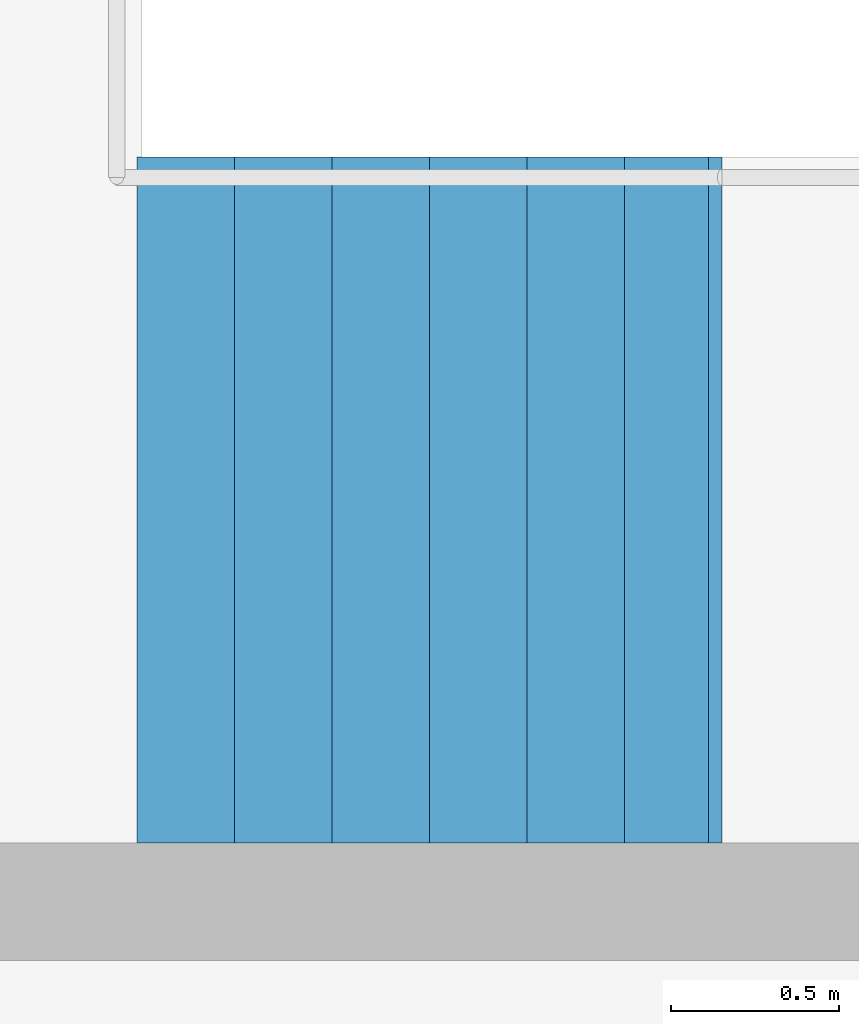
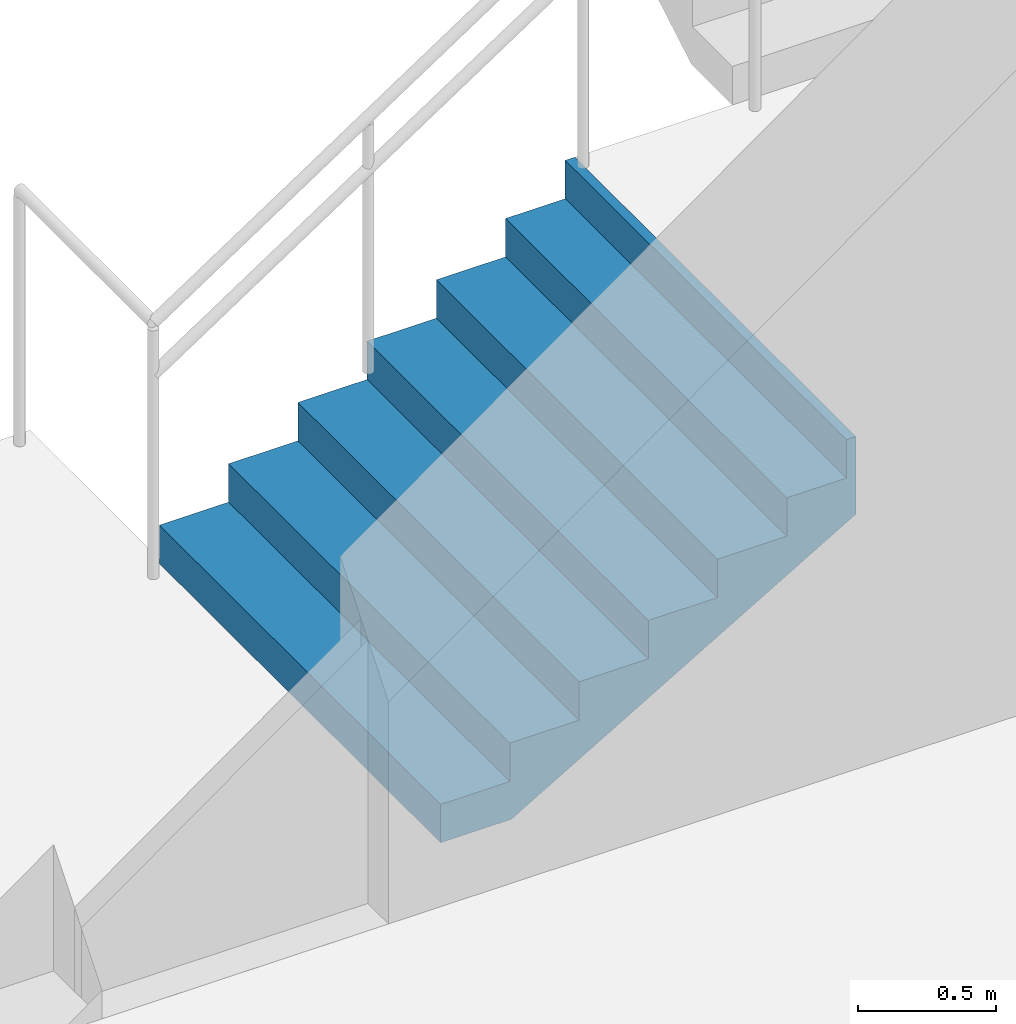
# One storey, part 41 of 49: 1 stair flight, 1 element without a shape of its own.
"""IFC4 building model written with IfcOpenShell, lengths in metres."""

from ifc_helpers import new_model, si_unit, direction, frame, origin, place, context, subcontext, project, spatial, triangles, material, type_object, element, aggregate, save


model = new_model("IFC4")

# Units and contexts
model_context = context("Model", 3, precision=1e-05, world=origin(), true_north=direction((0.0, 1.0)))
body_context = subcontext(model_context, "Body", "Model", "MODEL_VIEW")
ifc_project = project(units=[si_unit("LENGTHUNIT", "METRE"), si_unit("AREAUNIT", "SQUARE_METRE"), si_unit("VOLUMEUNIT", "CUBIC_METRE"), si_unit("PLANEANGLEUNIT", "RADIAN"), si_unit("MASSUNIT", "GRAM", prefix="KILO")], contexts=[model_context])

# Site, building, storey
site_placement = place(None, origin())
site = spatial("IfcSite", under=ifc_project, at=site_placement, CompositionType="ELEMENT")
building_placement = place(site_placement, origin())
building = spatial("IfcBuilding", under=site, at=building_placement, Name="Sillaruma Civic Art Gallery", CompositionType="ELEMENT")
storey_placement = place(building_placement, frame((0.0, 0.0, 33.14990234375)))
storey = spatial("IfcBuildingStorey", under=building, at=storey_placement, Name="L06", CompositionType="ELEMENT", Elevation=33.14990234375)

# Stair, stair flight
ifc_material = material(Name="Concrete H35 (35 MPa)", Category="concrete")
stair_type = type_object("IfcStairType", Name="STR-4F-27", PredefinedType="USERDEFINED", material=ifc_material)
stair_placement = place(storey_placement, origin())
stair = element("IfcStair", 1, at=stair_placement, inside=storey, type_object=stair_type, Name="Protected Exit Stair ST-02 (West Bar North) (L06)", ObjectType="THREE_RETURN_STAIR", PredefinedType="USERDEFINED")
stair_flight_type = type_object("IfcStairFlightType", Name="SFL-STR-7", PredefinedType="STRAIGHT", material=ifc_material)
stair_flight_placement = place(storey_placement, frame((64.800048828125, 81.929931640625, 0.0), z_axis=(0.0, 0.0, 1.0), x_axis=(1.0, 0.0, 0.0)))
stair_flight = element("IfcStairFlight", 2, at=stair_flight_placement, type_object=stair_flight_type, Name="ST-02 flight 1", NumberOfRisers=7, NumberOfTreads=6, PredefinedType="STRAIGHT", RiserHeight=0.17, TreadLength=0.29, context=body_context, shape_type="Tessellation", body=[
    triangles([(0.0, -1.02001953125, 0.0), (0.29, -1.02001953125, 0.0), (0.296404, -1.02001953125, 0.0), (0.58, -1.02001953125, 0.166246), (0.87, -1.02001953125, 0.336246), (1.16, -1.02001953125, 0.506246), (1.45, -1.02001953125, 0.676246), (1.69999, -1.02001953125, 0.822792), (1.73999, -1.02001953125, 0.84624), (1.73999, -1.02001953125, 1.19), (1.69999, -1.02001953125, 1.19), (1.69999, -1.02001953125, 1.02), (1.45, -1.02001953125, 1.02), (1.45, -1.02001953125, 0.85), (1.16, -1.02001953125, 0.85), (1.16, -1.02001953125, 0.68), (0.87, -1.02001953125, 0.68), (0.87, -1.02001953125, 0.51), (0.58, -1.02001953125, 0.51), (0.58, -1.02001953125, 0.34), (0.296404, -1.02001953125, 0.34), (0.29, -1.02001953125, 0.34), (0.29, -1.02001953125, 0.17), (0.0, -1.02001953125, 0.17), (0.0, -0.05, 0.0), (0.29, -0.05, 0.0), (0.296404, -0.05, 0.0), (0.58, -0.05, 0.166246), (0.87, -0.05, 0.336246), (1.16, -0.05, 0.506246), (1.45, -0.05, 0.676246), (1.69999, -0.05, 0.822792), (1.73999, -0.05, 0.84624), (1.73999, -0.05, 1.19), (1.69999, -0.05, 1.19), (1.69999, -0.05, 1.02), (1.45, -0.05, 1.02), (1.45, -0.05, 0.85), (1.16, -0.05, 0.85), (1.16, -0.05, 0.68), (0.87, -0.05, 0.68), (0.87, -0.05, 0.51), (0.58, -0.05, 0.51), (0.58, -0.05, 0.34), (0.296404, -0.05, 0.34), (0.29, -0.05, 0.34), (0.29, -0.05, 0.17), (0.0, -0.05, 0.17), (0.0, -0.0375, 0.0), (0.29, -0.0375, 0.0), (0.296404, -0.0375, 0.0), (0.58, -0.0375, 0.166246), (0.87, -0.0375, 0.336246), (1.16, -0.0375, 0.506246), (1.45, -0.0375, 0.676246), (1.69999, -0.0375, 0.822792), (1.73999, -0.0375, 0.84624), (1.73999, -0.0375, 1.19), (1.69999, -0.0375, 1.19), (1.69999, -0.0375, 1.02), (1.45, -0.0375, 1.02), (1.45, -0.0375, 0.85), (1.16, -0.0375, 0.85), (1.16, -0.0375, 0.68), (0.87, -0.0375, 0.68), (0.87, -0.0375, 0.51), (0.58, -0.0375, 0.51), (0.58, -0.0375, 0.34), (0.296404, -0.0375, 0.34), (0.29, -0.0375, 0.34), (0.29, -0.0375, 0.17), (0.0, -0.0375, 0.17), (0.0, -0.025, 0.0), (0.29, -0.025, 0.0), (0.296404, -0.025, 0.0), (0.58, -0.025, 0.166246), (0.87, -0.025, 0.336246), (1.16, -0.025, 0.506246), (1.45, -0.025, 0.676246), (1.69999, -0.025, 0.822792), (1.73999, -0.025, 0.84624), (1.73999, -0.025, 1.19), (1.69999, -0.025, 1.19), (1.69999, -0.025, 1.02), (1.45, -0.025, 1.02), (1.45, -0.025, 0.85), (1.16, -0.025, 0.85), (1.16, -0.025, 0.68), (0.87, -0.025, 0.68), (0.87, -0.025, 0.51), (0.58, -0.025, 0.51), (0.58, -0.025, 0.34), (0.296404, -0.025, 0.34), (0.29, -0.025, 0.34), (0.29, -0.025, 0.17), (0.0, -0.025, 0.17), (0.0, -0.0125, 0.0), (0.29, -0.0125, 0.0), (0.296404, -0.0125, 0.0), (0.58, -0.0125, 0.166246), (0.87, -0.0125, 0.336246), (1.16, -0.0125, 0.506246), (1.45, -0.0125, 0.676246), (1.69999, -0.0125, 0.822792), (1.73999, -0.0125, 0.84624), (1.73999, -0.0125, 1.19), (1.69999, -0.0125, 1.19), (1.69999, -0.0125, 1.02), (1.45, -0.0125, 1.02), (1.45, -0.0125, 0.85), (1.16, -0.0125, 0.85), (1.16, -0.0125, 0.68), (0.87, -0.0125, 0.68), (0.87, -0.0125, 0.51), (0.58, -0.0125, 0.51), (0.58, -0.0125, 0.34), (0.296404, -0.0125, 0.34), (0.29, -0.0125, 0.34), (0.29, -0.0125, 0.17), (0.0, -0.0125, 0.17), (0.0, 0.0, 0.0), (0.29, 0.0, 0.0), (0.296404, 0.0, 0.0), (0.58, 0.0, 0.166246), (0.87, 0.0, 0.336246), (1.16, 0.0, 0.506246), (1.45, 0.0, 0.676246), (1.69999, 0.0, 0.822792), (1.73999, 0.0, 0.84624), (1.73999, 0.0, 1.19), (1.69999, 0.0, 1.19), (1.69999, 0.0, 1.02), (1.45, 0.0, 1.02), (1.45, 0.0, 0.85), (1.16, 0.0, 0.85), (1.16, 0.0, 0.68), (0.87, 0.0, 0.68), (0.87, 0.0, 0.51), (0.58, 0.0, 0.51), (0.58, 0.0, 0.34), (0.296404, 0.0, 0.34), (0.29, 0.0, 0.34), (0.29, 0.0, 0.17), (0.0, 0.0, 0.17), (0.0, 0.0125, 0.0), (0.29, 0.0125, 0.0), (0.296404, 0.0125, 0.0), (0.58, 0.0125, 0.166246), (0.87, 0.0125, 0.336246), (1.16, 0.0125, 0.506246), (1.45, 0.0125, 0.676246), (1.69999, 0.0125, 0.822792), (1.73999, 0.0125, 0.84624), (1.73999, 0.0125, 1.19), (1.69999, 0.0125, 1.19), (1.69999, 0.0125, 1.02), (1.45, 0.0125, 1.02), (1.45, 0.0125, 0.85), (1.16, 0.0125, 0.85), (1.16, 0.0125, 0.68), (0.87, 0.0125, 0.68), (0.87, 0.0125, 0.51), (0.58, 0.0125, 0.51), (0.58, 0.0125, 0.34), (0.296404, 0.0125, 0.34), (0.29, 0.0125, 0.34), (0.29, 0.0125, 0.17), (0.0, 0.0125, 0.17), (0.0, 0.025, 0.0), (0.29, 0.025, 0.0), (0.296404, 0.025, 0.0), (0.58, 0.025, 0.166246), (0.87, 0.025, 0.336246), (1.16, 0.025, 0.506246), (1.45, 0.025, 0.676246), (1.69999, 0.025, 0.822792), (1.73999, 0.025, 0.84624), (1.73999, 0.025, 1.19), (1.69999, 0.025, 1.19), (1.69999, 0.025, 1.02), (1.45, 0.025, 1.02), (1.45, 0.025, 0.85), (1.16, 0.025, 0.85), (1.16, 0.025, 0.68), (0.87, 0.025, 0.68), (0.87, 0.025, 0.51), (0.58, 0.025, 0.51), (0.58, 0.025, 0.34), (0.296404, 0.025, 0.34), (0.29, 0.025, 0.34), (0.29, 0.025, 0.17), (0.0, 0.025, 0.17), (0.0, 0.0375, 0.0), (0.29, 0.0375, 0.0), (0.296404, 0.0375, 0.0), (0.58, 0.0375, 0.166246), (0.87, 0.0375, 0.336246), (1.16, 0.0375, 0.506246), (1.45, 0.0375, 0.676246), (1.69999, 0.0375, 0.822792), (1.73999, 0.0375, 0.84624), (1.73999, 0.0375, 1.19), (1.69999, 0.0375, 1.19), (1.69999, 0.0375, 1.02), (1.45, 0.0375, 1.02), (1.45, 0.0375, 0.85), (1.16, 0.0375, 0.85), (1.16, 0.0375, 0.68), (0.87, 0.0375, 0.68), (0.87, 0.0375, 0.51), (0.58, 0.0375, 0.51), (0.58, 0.0375, 0.34), (0.296404, 0.0375, 0.34), (0.29, 0.0375, 0.34), (0.29, 0.0375, 0.17), (0.0, 0.0375, 0.17), (0.0, 0.05, 0.0), (0.29, 0.05, 0.0), (0.296404, 0.05, 0.0), (0.58, 0.05, 0.166246), (0.87, 0.05, 0.336246), (1.16, 0.05, 0.506246), (1.45, 0.05, 0.676246), (1.69999, 0.05, 0.822792), (1.73999, 0.05, 0.84624), (1.73999, 0.05, 1.19), (1.69999, 0.05, 1.19), (1.69999, 0.05, 1.02), (1.45, 0.05, 1.02), (1.45, 0.05, 0.85), (1.16, 0.05, 0.85), (1.16, 0.05, 0.68), (0.87, 0.05, 0.68), (0.87, 0.05, 0.51), (0.58, 0.05, 0.51), (0.58, 0.05, 0.34), (0.296404, 0.05, 0.34), (0.29, 0.05, 0.34), (0.29, 0.05, 0.17), (0.0, 0.05, 0.17), (0.0, 1.02001953125, 0.0), (0.29, 1.02001953125, 0.0), (0.296404, 1.02001953125, 0.0), (0.58, 1.02001953125, 0.166246), (0.87, 1.02001953125, 0.336246), (1.16, 1.02001953125, 0.506246), (1.45, 1.02001953125, 0.676246), (1.69999, 1.02001953125, 0.822792), (1.73999, 1.02001953125, 0.84624), (1.73999, 1.02001953125, 1.19), (1.69999, 1.02001953125, 1.19), (1.69999, 1.02001953125, 1.02), (1.45, 1.02001953125, 1.02), (1.45, 1.02001953125, 0.85), (1.16, 1.02001953125, 0.85), (1.16, 1.02001953125, 0.68), (0.87, 1.02001953125, 0.68), (0.87, 1.02001953125, 0.51), (0.58, 1.02001953125, 0.51), (0.58, 1.02001953125, 0.34), (0.296404, 1.02001953125, 0.34), (0.29, 1.02001953125, 0.34), (0.29, 1.02001953125, 0.17), (0.0, 1.02001953125, 0.17)], [[1, 2, 23], [1, 23, 24], [2, 3, 21], [2, 21, 23], [23, 21, 22], [3, 4, 20], [3, 20, 21], [4, 5, 18], [4, 18, 20], [20, 18, 19], [5, 6, 16], [5, 16, 18], [18, 16, 17], [6, 7, 14], [6, 14, 16], [16, 14, 15], [7, 8, 12], [7, 12, 14], [14, 12, 13], [8, 9, 10], [8, 10, 12], [12, 10, 11], [263, 242, 241], [264, 263, 241], [261, 243, 242], [263, 261, 242], [262, 261, 263], [260, 244, 243], [261, 260, 243], [258, 245, 244], [260, 258, 244], [259, 258, 260], [256, 246, 245], [258, 256, 245], [257, 256, 258], [254, 247, 246], [256, 254, 246], [255, 254, 256], [252, 248, 247], [254, 252, 247], [253, 252, 254], [250, 249, 248], [252, 250, 248], [251, 250, 252], [2, 1, 25], [2, 25, 26], [3, 2, 26], [3, 26, 27], [4, 3, 27], [4, 27, 28], [5, 4, 28], [5, 28, 29], [6, 5, 29], [6, 29, 30], [7, 6, 30], [7, 30, 31], [8, 7, 31], [8, 31, 32], [9, 8, 32], [9, 32, 33], [10, 9, 33], [10, 33, 34], [11, 10, 34], [11, 34, 35], [12, 11, 35], [12, 35, 36], [13, 12, 36], [13, 36, 37], [14, 13, 37], [14, 37, 38], [15, 14, 38], [15, 38, 39], [16, 15, 39], [16, 39, 40], [17, 16, 40], [17, 40, 41], [18, 17, 41], [18, 41, 42], [19, 18, 42], [19, 42, 43], [20, 19, 43], [20, 43, 44], [21, 20, 44], [21, 44, 45], [22, 21, 45], [22, 45, 46], [23, 22, 46], [23, 46, 47], [24, 23, 47], [24, 47, 48], [1, 24, 48], [1, 48, 25], [26, 25, 49], [26, 49, 50], [27, 26, 50], [27, 50, 51], [28, 27, 51], [28, 51, 52], [29, 28, 52], [29, 52, 53], [30, 29, 53], [30, 53, 54], [31, 30, 54], [31, 54, 55], [32, 31, 55], [32, 55, 56], [33, 32, 56], [33, 56, 57], [34, 33, 57], [34, 57, 58], [35, 34, 58], [35, 58, 59], [36, 35, 59], [36, 59, 60], [37, 36, 60], [37, 60, 61], [38, 37, 61], [38, 61, 62], [39, 38, 62], [39, 62, 63], [40, 39, 63], [40, 63, 64], [41, 40, 64], [41, 64, 65], [42, 41, 65], [42, 65, 66], [43, 42, 66], [43, 66, 67], [44, 43, 67], [44, 67, 68], [45, 44, 68], [45, 68, 69], [46, 45, 69], [46, 69, 70], [47, 46, 70], [47, 70, 71], [48, 47, 71], [48, 71, 72], [25, 48, 72], [25, 72, 49], [50, 49, 73], [50, 73, 74], [51, 50, 74], [51, 74, 75], [52, 51, 75], [52, 75, 76], [53, 52, 76], [53, 76, 77], [54, 53, 77], [54, 77, 78], [55, 54, 78], [55, 78, 79], [56, 55, 79], [56, 79, 80], [57, 56, 80], [57, 80, 81], [58, 57, 81], [58, 81, 82], [59, 58, 82], [59, 82, 83], [60, 59, 83], [60, 83, 84], [61, 60, 84], [61, 84, 85], [62, 61, 85], [62, 85, 86], [63, 62, 86], [63, 86, 87], [64, 63, 87], [64, 87, 88], [65, 64, 88], [65, 88, 89], [66, 65, 89], [66, 89, 90], [67, 66, 90], [67, 90, 91], [68, 67, 91], [68, 91, 92], [69, 68, 92], [69, 92, 93], [70, 69, 93], [70, 93, 94], [71, 70, 94], [71, 94, 95], [72, 71, 95], [72, 95, 96], [49, 72, 96], [49, 96, 73], [74, 73, 97], [74, 97, 98], [75, 74, 98], [75, 98, 99], [76, 75, 99], [76, 99, 100], [77, 76, 100], [77, 100, 101], [78, 77, 101], [78, 101, 102], [79, 78, 102], [79, 102, 103], [80, 79, 103], [80, 103, 104], [81, 80, 104], [81, 104, 105], [82, 81, 105], [82, 105, 106], [83, 82, 106], [83, 106, 107], [84, 83, 107], [84, 107, 108], [85, 84, 108], [85, 108, 109], [86, 85, 109], [86, 109, 110], [87, 86, 110], [87, 110, 111], [88, 87, 111], [88, 111, 112], [89, 88, 112], [89, 112, 113], [90, 89, 113], [90, 113, 114], [91, 90, 114], [91, 114, 115], [92, 91, 115], [92, 115, 116], [93, 92, 116], [93, 116, 117], [94, 93, 117], [94, 117, 118], [95, 94, 118], [95, 118, 119], [96, 95, 119], [96, 119, 120], [73, 96, 120], [73, 120, 97], [98, 97, 121], [98, 121, 122], [99, 98, 122], [99, 122, 123], [100, 99, 123], [100, 123, 124], [101, 100, 124], [101, 124, 125], [102, 101, 125], [102, 125, 126], [103, 102, 126], [103, 126, 127], [104, 103, 127], [104, 127, 128], [105, 104, 128], [105, 128, 129], [106, 105, 129], [106, 129, 130], [107, 106, 130], [107, 130, 131], [108, 107, 131], [108, 131, 132], [109, 108, 132], [109, 132, 133], [110, 109, 133], [110, 133, 134], [111, 110, 134], [111, 134, 135], [112, 111, 135], [112, 135, 136], [113, 112, 136], [113, 136, 137], [114, 113, 137], [114, 137, 138], [115, 114, 138], [115, 138, 139], [116, 115, 139], [116, 139, 140], [117, 116, 140], [117, 140, 141], [118, 117, 141], [118, 141, 142], [119, 118, 142], [119, 142, 143], [120, 119, 143], [120, 143, 144], [97, 120, 144], [97, 144, 121], [122, 121, 145], [122, 145, 146], [123, 122, 146], [123, 146, 147], [124, 123, 147], [124, 147, 148], [125, 124, 148], [125, 148, 149], [126, 125, 149], [126, 149, 150], [127, 126, 150], [127, 150, 151], [128, 127, 151], [128, 151, 152], [129, 128, 152], [129, 152, 153], [130, 129, 153], [130, 153, 154], [131, 130, 154], [131, 154, 155], [132, 131, 155], [132, 155, 156], [133, 132, 156], [133, 156, 157], [134, 133, 157], [134, 157, 158], [135, 134, 158], [135, 158, 159], [136, 135, 159], [136, 159, 160], [137, 136, 160], [137, 160, 161], [138, 137, 161], [138, 161, 162], [139, 138, 162], [139, 162, 163], [140, 139, 163], [140, 163, 164], [141, 140, 164], [141, 164, 165], [142, 141, 165], [142, 165, 166], [143, 142, 166], [143, 166, 167], [144, 143, 167], [144, 167, 168], [121, 144, 168], [121, 168, 145], [146, 145, 169], [146, 169, 170], [147, 146, 170], [147, 170, 171], [148, 147, 171], [148, 171, 172], [149, 148, 172], [149, 172, 173], [150, 149, 173], [150, 173, 174], [151, 150, 174], [151, 174, 175], [152, 151, 175], [152, 175, 176], [153, 152, 176], [153, 176, 177], [154, 153, 177], [154, 177, 178], [155, 154, 178], [155, 178, 179], [156, 155, 179], [156, 179, 180], [157, 156, 180], [157, 180, 181], [158, 157, 181], [158, 181, 182], [159, 158, 182], [159, 182, 183], [160, 159, 183], [160, 183, 184], [161, 160, 184], [161, 184, 185], [162, 161, 185], [162, 185, 186], [163, 162, 186], [163, 186, 187], [164, 163, 187], [164, 187, 188], [165, 164, 188], [165, 188, 189], [166, 165, 189], [166, 189, 190], [167, 166, 190], [167, 190, 191], [168, 167, 191], [168, 191, 192], [145, 168, 192], [145, 192, 169], [170, 169, 193], [170, 193, 194], [171, 170, 194], [171, 194, 195], [172, 171, 195], [172, 195, 196], [173, 172, 196], [173, 196, 197], [174, 173, 197], [174, 197, 198], [175, 174, 198], [175, 198, 199], [176, 175, 199], [176, 199, 200], [177, 176, 200], [177, 200, 201], [178, 177, 201], [178, 201, 202], [179, 178, 202], [179, 202, 203], [180, 179, 203], [180, 203, 204], [181, 180, 204], [181, 204, 205], [182, 181, 205], [182, 205, 206], [183, 182, 206], [183, 206, 207], [184, 183, 207], [184, 207, 208], [185, 184, 208], [185, 208, 209], [186, 185, 209], [186, 209, 210], [187, 186, 210], [187, 210, 211], [188, 187, 211], [188, 211, 212], [189, 188, 212], [189, 212, 213], [190, 189, 213], [190, 213, 214], [191, 190, 214], [191, 214, 215], [192, 191, 215], [192, 215, 216], [169, 192, 216], [169, 216, 193], [194, 193, 217], [194, 217, 218], [195, 194, 218], [195, 218, 219], [196, 195, 219], [196, 219, 220], [197, 196, 220], [197, 220, 221], [198, 197, 221], [198, 221, 222], [199, 198, 222], [199, 222, 223], [200, 199, 223], [200, 223, 224], [201, 200, 224], [201, 224, 225], [202, 201, 225], [202, 225, 226], [203, 202, 226], [203, 226, 227], [204, 203, 227], [204, 227, 228], [205, 204, 228], [205, 228, 229], [206, 205, 229], [206, 229, 230], [207, 206, 230], [207, 230, 231], [208, 207, 231], [208, 231, 232], [209, 208, 232], [209, 232, 233], [210, 209, 233], [210, 233, 234], [211, 210, 234], [211, 234, 235], [212, 211, 235], [212, 235, 236], [213, 212, 236], [213, 236, 237], [214, 213, 237], [214, 237, 238], [215, 214, 238], [215, 238, 239], [216, 215, 239], [216, 239, 240], [193, 216, 240], [193, 240, 217], [218, 217, 241], [218, 241, 242], [219, 218, 242], [219, 242, 243], [220, 219, 243], [220, 243, 244], [221, 220, 244], [221, 244, 245], [222, 221, 245], [222, 245, 246], [223, 222, 246], [223, 246, 247], [224, 223, 247], [224, 247, 248], [225, 224, 248], [225, 248, 249], [226, 225, 249], [226, 249, 250], [227, 226, 250], [227, 250, 251], [228, 227, 251], [228, 251, 252], [229, 228, 252], [229, 252, 253], [230, 229, 253], [230, 253, 254], [231, 230, 254], [231, 254, 255], [232, 231, 255], [232, 255, 256], [233, 232, 256], [233, 256, 257], [234, 233, 257], [234, 257, 258], [235, 234, 258], [235, 258, 259], [236, 235, 259], [236, 259, 260], [237, 236, 260], [237, 260, 261], [238, 237, 261], [238, 261, 262], [239, 238, 262], [239, 262, 263], [240, 239, 263], [240, 263, 264], [217, 240, 264], [217, 264, 241]], closed=True),
])
aggregate(stair, [stair_flight])

save(model, "model.ifc")
